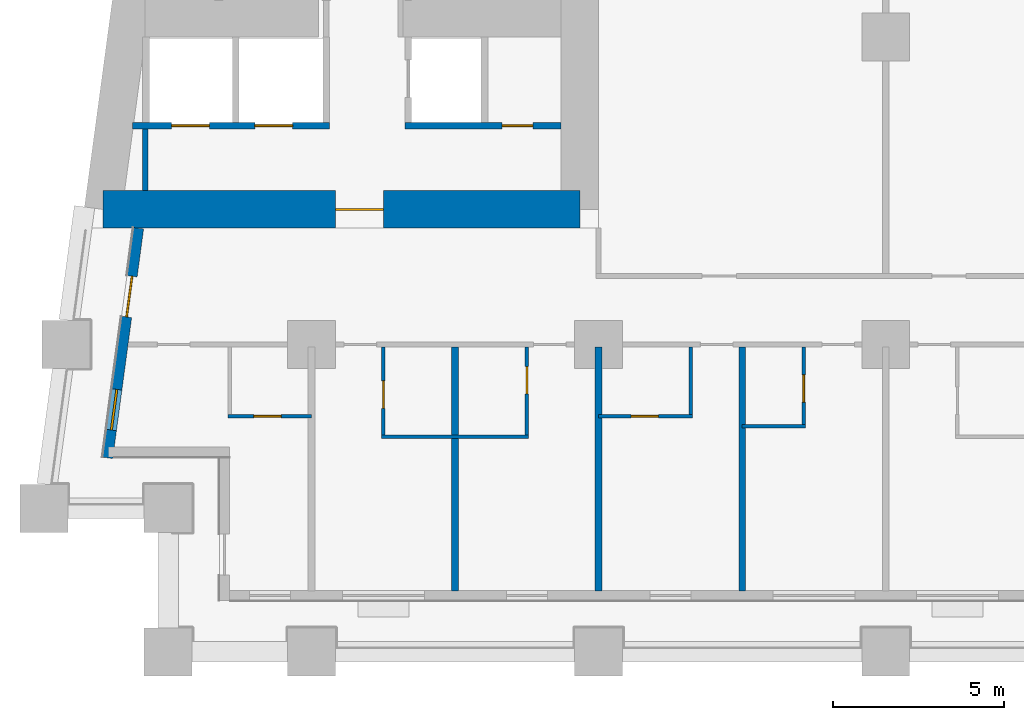
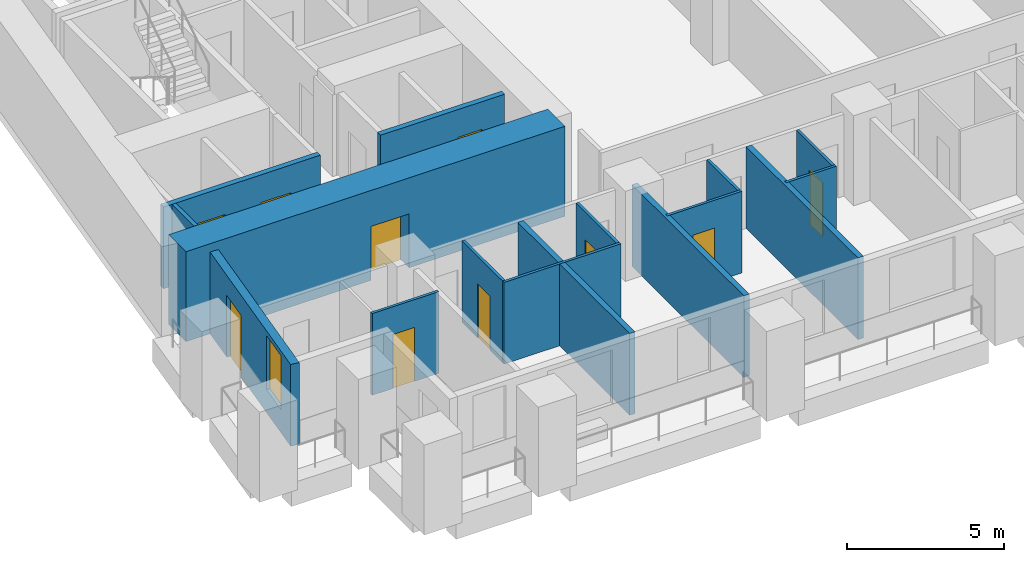
# One storey, part 2 of 13: 16 walls, 10 doors, 1 window, 11 openings.
"""IFC4 building model written with IfcOpenShell, lengths in metres."""

from ifc_helpers import new_model, si_unit, direction, frame, frame_2d, origin, place, context, subcontext, project, spatial, rectangle, extrude, material, layer, layer_set, type_object, element, fill, save


model = new_model("IFC4")

# Units and contexts
model_context = context("Model", 3, precision=1e-05, world=origin(), true_north=direction((0.0, 1.0)))
body_context = subcontext(model_context, "Body", "Model", "MODEL_VIEW")
ifc_project = project(units=[si_unit("LENGTHUNIT", "METRE"), si_unit("AREAUNIT", "SQUARE_METRE"), si_unit("VOLUMEUNIT", "CUBIC_METRE"), si_unit("PLANEANGLEUNIT", "RADIAN"), si_unit("MASSUNIT", "GRAM", prefix="KILO")], contexts=[model_context])

# Site, building, storey
site_placement = place(None, origin())
site = spatial("IfcSite", under=ifc_project, at=site_placement, CompositionType="ELEMENT")
building_placement = place(site_placement, origin())
building = spatial("IfcBuilding", under=site, at=building_placement, Name="Candeia Pilgrim Tower and Theatre", CompositionType="ELEMENT")
storey_placement = place(building_placement, frame((0.0, 0.0, 67.0)))
storey = spatial("IfcBuildingStorey", under=building, at=storey_placement, Name="L14", CompositionType="ELEMENT", Elevation=67.0)

# Wall, opening, door
ifc_material_1 = material(Name="Concrete C80/95", Category="concrete")
ifc_layer_1 = layer(ifc_material_1, 1.10009765625)
ifc_layer_set_1 = layer_set([ifc_layer_1], Name="Core wall 1100 C80/95")
wall_type_1 = type_object("IfcWallType", Name="Core wall 1100 C80/95", PredefinedType="SHEAR", material=ifc_layer_set_1)
wall_1_placement = place(storey_placement, frame((100.25, 110.949951171875, 0.0), z_axis=(0.0, 0.0, 1.0), x_axis=(-1.0, 0.0, 0.0)))
wall_1 = element("IfcWall", 1, at=wall_1_placement, inside=storey, type_object=wall_type_1, Name="Core wall W3", PredefinedType="SHEAR", context=body_context, shape_type="SweptSolid", body=[
    extrude(rectangle(XDim=13.95166015625, YDim=1.10009765625, at=frame_2d((6.975830078125, 0.0))), origin(), (0.0, 0.0, 1.0), 3.5),
])
opening_1_placement = place(wall_1_placement, frame((5.74755859375, 0.0, 0.0)))
opening_1 = element("IfcOpeningElement", 2, at=opening_1_placement, cuts=wall_1, Name="Opening L14-D054", PredefinedType="OPENING", context=body_context, shape_type="SweptSolid", body=[
    extrude(rectangle(XDim=1.39990234375, YDim=2.10009765625, at=frame_2d((0.699951171875, 1.050048828125))), frame((0.0, 0.56005859375, 0.0), z_axis=(0.0, -1.0, 0.0), x_axis=(1.0, 0.0, 0.0)), (0.0, 0.0, 1.0), 1.1201171875),
])
ifc_material_2 = material(Name="Steel fire door set", Category="steel")
door_type_1 = type_object("IfcDoorType", Name="D-1400-FD60", OperationType="NOTDEFINED", PredefinedType="DOOR", material=ifc_material_2)
door_1_placement = place(opening_1_placement, origin())
door_1 = element("IfcDoor", 3, at=door_1_placement, inside=storey, type_object=door_type_1, Name="Door L14-D054", OperationType="SINGLE_SWING_RIGHT", OverallHeight=2.10009765625, OverallWidth=1.39990234375, PredefinedType="DOOR", context=body_context, shape_type="SweptSolid", body=[
    extrude(rectangle(XDim=1.39990234375, YDim=2.10009765625, at=frame_2d((0.699951171875, 1.050048828125))), frame((0.0, 0.02490234375, 0.0), z_axis=(0.0, -1.0, 0.0), x_axis=(1.0, 0.0, 0.0)), (0.0, 0.0, 1.0), 0.050048828125),
])
fill(opening_1, door_1)

# Wall, openings, door, window
ifc_material_3 = material(Name="Ceramic block masonry", Category="masonry")
ifc_layer_2 = layer(ifc_material_3, 0.300048828125)
ifc_layer_set_2 = layer_set([ifc_layer_2], Name="EW1 glazing-line wall 300")
wall_type_2 = type_object("IfcWallType", Name="EW1 glazing-line wall 300", PredefinedType="SOLIDWALL", material=ifc_layer_set_2)
wall_2_placement = place(storey_placement, frame((87.334228515625, 110.39990234375, 0.0), z_axis=(0.0, 0.0, 1.0), x_axis=(-0.133437175554, -0.991057273915, 0.0)))
wall_2 = element("IfcWall", 4, at=wall_2_placement, inside=storey, type_object=wall_type_2, Name="External wall L14-9.1", PredefinedType="SOLIDWALL", context=body_context, shape_type="SweptSolid", body=[
    extrude(rectangle(XDim=6.780517578125, YDim=0.300048828125, at=frame_2d((3.39013671875, 0.0))), origin(), (0.0, 0.0, 1.0), 3.179931640625),
])
opening_2_placement = place(wall_2_placement, frame((1.41796875, 0.0, 0.0)))
opening_2 = element("IfcOpeningElement", 5, at=opening_2_placement, cuts=wall_2, Name="Opening L14-ED164", PredefinedType="OPENING", context=body_context, shape_type="SweptSolid", body=[
    extrude(rectangle(XDim=1.199951171875, YDim=2.39990234375, at=frame_2d((0.60009765625, 1.199951171875))), frame((0.0, 0.16015625, 0.0), z_axis=(0.0, -1.0, 0.0), x_axis=(1.0, 0.0, 0.0)), (0.0, 0.0, 1.0), 0.320068359375),
])
opening_3_placement = place(wall_2_placement, frame((4.75830078125, 0.0, 0.89990234375)))
opening_3 = element("IfcOpeningElement", 6, at=opening_3_placement, cuts=wall_2, Name="Opening W-B", PredefinedType="OPENING", context=body_context, shape_type="SweptSolid", body=[
    extrude(rectangle(XDim=1.199951171875, YDim=2.10009765625, at=frame_2d((0.60009765625, 1.050048828125))), frame((0.0, 0.16015625, 0.0), z_axis=(0.0, -1.0, 0.0), x_axis=(1.0, 0.0, 0.0)), (0.0, 0.0, 1.0), 0.320068359375),
])
ifc_material_4 = material(Name="Aluminium framed glazed door", Category="aluminium")
door_type_2 = type_object("IfcDoorType", Name="Loggia door 1200x2400", OperationType="DOUBLE_DOOR_SINGLE_SWING", PredefinedType="DOOR", material=ifc_material_4)
door_2_placement = place(opening_2_placement, origin())
door_2 = element("IfcDoor", 7, at=door_2_placement, inside=storey, type_object=door_type_2, Name="Loggia door L14-ED164", OperationType="DOUBLE_DOOR_SINGLE_SWING", OverallHeight=2.39990234375, OverallWidth=1.199951171875, PredefinedType="DOOR", context=body_context, shape_type="SweptSolid", body=[
    extrude(rectangle(XDim=1.199951171875, YDim=2.39990234375, at=frame_2d((0.60009765625, 1.199951171875))), frame((0.0, 0.02490234375, 0.0), z_axis=(0.0, -1.0, 0.0), x_axis=(1.0, 0.0, 0.0)), (0.0, 0.0, 1.0), 0.050048828125),
])
fill(opening_2, door_2)
ifc_material_5 = material(Name="Aluminium framed double glazing", Category="aluminium")
window_type = type_object("IfcWindowType", Name="W-B window 1200x2100", PartitioningType="SINGLE_PANEL", PredefinedType="WINDOW", material=ifc_material_5)
window_placement = place(opening_3_placement, origin())
window = element("IfcWindow", 8, at=window_placement, inside=storey, type_object=window_type, Name="Window W-B L14", OverallHeight=2.10009765625, OverallWidth=1.199951171875, PartitioningType="SINGLE_PANEL", PredefinedType="WINDOW", context=body_context, shape_type="SweptSolid", body=[
    extrude(rectangle(XDim=1.199951171875, YDim=2.10009765625, at=frame_2d((0.60009765625, 1.050048828125))), frame((0.0, 0.030029296875, 0.0), z_axis=(0.0, -1.0, 0.0), x_axis=(1.0, 0.0, 0.0)), (0.0, 0.0, 1.0), 0.06005859375),
])
fill(opening_3, window)

# Walls
ifc_material_6 = material(Name="Gypsum board partition on steel studs", Category="steel")
ifc_layer_3 = layer(ifc_material_6, 0.10009765625)
ifc_layer_set_3 = layer_set([ifc_layer_3], Name="PW-100 room partition")
wall_type_3 = type_object("IfcWallType", Name="PW-100 room partition", PredefinedType="PARTITIONING", material=ifc_layer_set_3)
wall_3_placement = place(storey_placement, frame((94.449951171875, 104.300048828125, 0.0), z_axis=(0.0, 0.0, 1.0), x_axis=(1.0, 0.0, 0.0)))
element("IfcWall", 9, at=wall_3_placement, inside=storey, type_object=wall_type_3, Name="Room partition L14-001", PredefinedType="PARTITIONING", context=body_context, shape_type="SweptSolid", body=[
    extrude(rectangle(XDim=4.300048828125, YDim=0.10009765625, at=frame_2d((2.14990234375, 0.0))), origin(), (0.0, 0.0, 1.0), 3.179931640625),
])
wall_4_placement = place(storey_placement, frame((105.0, 104.60009765625, 0.0), z_axis=(0.0, 0.0, 1.0), x_axis=(1.0, 0.0, 0.0)))
element("IfcWall", 10, at=wall_4_placement, inside=storey, type_object=wall_type_3, Name="Room partition L14-004", PredefinedType="PARTITIONING", context=body_context, shape_type="SweptSolid", body=[
    extrude(rectangle(XDim=1.85009765625, YDim=0.10009765625, at=frame_2d((0.925048828125, 0.0))), origin(), (0.0, 0.0, 1.0), 3.179931640625),
])

# Wall, opening, door
wall_5_placement = place(storey_placement, frame((89.949951171875, 104.89990234375, 0.0), z_axis=(0.0, 0.0, 1.0), x_axis=(1.0, 0.0, 0.0)))
wall_5 = element("IfcWall", 11, at=wall_5_placement, inside=storey, type_object=wall_type_3, Name="Room partition L14-007", PredefinedType="PARTITIONING", context=body_context, shape_type="SweptSolid", body=[
    extrude(rectangle(XDim=2.449951171875, YDim=0.10009765625, at=frame_2d((1.22509765625, 0.0))), origin(), (0.0, 0.0, 1.0), 3.179931640625),
])
opening_4_placement = place(wall_5_placement, frame((0.760009765625, 0.0, 0.0)))
opening_4 = element("IfcOpeningElement", 12, at=opening_4_placement, cuts=wall_5, Name="Opening L14-D018", PredefinedType="OPENING", context=body_context, shape_type="SweptSolid", body=[
    extrude(rectangle(XDim=0.800048828125, YDim=2.10009765625, at=frame_2d((0.39990234375, 1.050048828125))), frame((0.0, 0.06005859375, 0.0), z_axis=(0.0, -1.0, 0.0), x_axis=(1.0, 0.0, 0.0)), (0.0, 0.0, 1.0), 0.1201171875),
])
ifc_material_7 = material(Name="Timber door leaf", Category="wood")
door_type_3 = type_object("IfcDoorType", Name="D-800", OperationType="NOTDEFINED", PredefinedType="DOOR", material=ifc_material_7)
door_3_placement = place(opening_4_placement, origin())
door_3 = element("IfcDoor", 13, at=door_3_placement, inside=storey, type_object=door_type_3, Name="Door L14-D018", OperationType="SINGLE_SWING_RIGHT", OverallHeight=2.10009765625, OverallWidth=0.800048828125, PredefinedType="DOOR", context=body_context, shape_type="SweptSolid", body=[
    extrude(rectangle(XDim=0.800048828125, YDim=2.10009765625, at=frame_2d((0.39990234375, 1.050048828125))), frame((0.0, 0.02490234375, 0.0), z_axis=(0.0, -1.0, 0.0), x_axis=(1.0, 0.0, 0.0)), (0.0, 0.0, 1.0), 0.050048828125),
])
fill(opening_4, door_3)

wall_6_placement = place(storey_placement, frame((100.800048828125, 104.89990234375, 0.0), z_axis=(0.0, 0.0, 1.0), x_axis=(1.0, 0.0, 0.0)))
wall_6 = element("IfcWall", 14, at=wall_6_placement, inside=storey, type_object=wall_type_3, Name="Room partition L14-008", PredefinedType="PARTITIONING", context=body_context, shape_type="SweptSolid", body=[
    extrude(rectangle(XDim=2.75, YDim=0.10009765625, at=frame_2d((1.375, 0.0))), origin(), (0.0, 0.0, 1.0), 3.179931640625),
])
opening_5_placement = place(wall_6_placement, frame((0.949951171875, 0.0, 0.0)))
opening_5 = element("IfcOpeningElement", 15, at=opening_5_placement, cuts=wall_6, Name="Opening L14-D024", PredefinedType="OPENING", context=body_context, shape_type="SweptSolid", body=[
    extrude(rectangle(XDim=0.800048828125, YDim=2.10009765625, at=frame_2d((0.39990234375, 1.050048828125))), frame((0.0, 0.06005859375, 0.0), z_axis=(0.0, -1.0, 0.0), x_axis=(1.0, 0.0, 0.0)), (0.0, 0.0, 1.0), 0.1201171875),
])
door_4_placement = place(opening_5_placement, origin())
door_4 = element("IfcDoor", 16, at=door_4_placement, inside=storey, type_object=door_type_3, Name="Door L14-D024", OperationType="SINGLE_SWING_RIGHT", OverallHeight=2.10009765625, OverallWidth=0.800048828125, PredefinedType="DOOR", context=body_context, shape_type="SweptSolid", body=[
    extrude(rectangle(XDim=0.800048828125, YDim=2.10009765625, at=frame_2d((0.39990234375, 1.050048828125))), frame((0.0, 0.02490234375, 0.0), z_axis=(0.0, -1.0, 0.0), x_axis=(1.0, 0.0, 0.0)), (0.0, 0.0, 1.0), 0.050048828125),
])
fill(opening_5, door_4)

wall_7_placement = place(storey_placement, frame((94.5, 104.35009765625, 0.0), z_axis=(0.0, 0.0, 1.0), x_axis=(0.0, 1.0, 0.0)))
wall_7 = element("IfcWall", 17, at=wall_7_placement, inside=storey, type_object=wall_type_3, Name="Room partition L14-056", PredefinedType="PARTITIONING", context=body_context, shape_type="SweptSolid", body=[
    extrude(rectangle(XDim=2.574951171875, YDim=0.10009765625, at=frame_2d((1.28759765625, 0.0))), origin(), (0.0, 0.0, 1.0), 3.179931640625),
])
opening_6_placement = place(wall_7_placement, frame((0.780029296875, 0.0, 0.0)))
opening_6 = element("IfcOpeningElement", 18, at=opening_6_placement, cuts=wall_7, Name="Opening L14-D020", PredefinedType="OPENING", context=body_context, shape_type="SweptSolid", body=[
    extrude(rectangle(XDim=0.800048828125, YDim=2.10009765625, at=frame_2d((0.39990234375, 1.050048828125))), frame((0.0, 0.06005859375, 0.0), z_axis=(0.0, -1.0, 0.0), x_axis=(1.0, 0.0, 0.0)), (0.0, 0.0, 1.0), 0.1201171875),
])
door_5_placement = place(opening_6_placement, origin())
door_5 = element("IfcDoor", 19, at=door_5_placement, inside=storey, type_object=door_type_3, Name="Door L14-D020", OperationType="SINGLE_SWING_RIGHT", OverallHeight=2.10009765625, OverallWidth=0.800048828125, PredefinedType="DOOR", context=body_context, shape_type="SweptSolid", body=[
    extrude(rectangle(XDim=0.800048828125, YDim=2.10009765625, at=frame_2d((0.39990234375, 1.050048828125))), frame((0.0, 0.02490234375, 0.0), z_axis=(0.0, -1.0, 0.0), x_axis=(1.0, 0.0, 0.0)), (0.0, 0.0, 1.0), 0.050048828125),
])
fill(opening_6, door_5)

wall_8_placement = place(storey_placement, frame((98.699951171875, 104.35009765625, 0.0), z_axis=(0.0, 0.0, 1.0), x_axis=(0.0, 1.0, 0.0)))
wall_8 = element("IfcWall", 20, at=wall_8_placement, inside=storey, type_object=wall_type_3, Name="Room partition L14-065", PredefinedType="PARTITIONING", context=body_context, shape_type="SweptSolid", body=[
    extrude(rectangle(XDim=2.574951171875, YDim=0.10009765625, at=frame_2d((1.28759765625, 0.0))), origin(), (0.0, 0.0, 1.0), 3.179931640625),
])
opening_7_placement = place(wall_8_placement, frame((1.199951171875, 0.0, 0.0)))
opening_7 = element("IfcOpeningElement", 21, at=opening_7_placement, cuts=wall_8, Name="Opening L14-D022", PredefinedType="OPENING", context=body_context, shape_type="SweptSolid", body=[
    extrude(rectangle(XDim=0.800048828125, YDim=2.10009765625, at=frame_2d((0.39990234375, 1.050048828125))), frame((0.0, 0.06005859375, 0.0), z_axis=(0.0, -1.0, 0.0), x_axis=(1.0, 0.0, 0.0)), (0.0, 0.0, 1.0), 0.1201171875),
])
door_6_placement = place(opening_7_placement, origin())
door_6 = element("IfcDoor", 22, at=door_6_placement, inside=storey, type_object=door_type_3, Name="Door L14-D022", OperationType="SINGLE_SWING_RIGHT", OverallHeight=2.10009765625, OverallWidth=0.800048828125, PredefinedType="DOOR", context=body_context, shape_type="SweptSolid", body=[
    extrude(rectangle(XDim=0.800048828125, YDim=2.10009765625, at=frame_2d((0.39990234375, 1.050048828125))), frame((0.0, 0.02490234375, 0.0), z_axis=(0.0, -1.0, 0.0), x_axis=(1.0, 0.0, 0.0)), (0.0, 0.0, 1.0), 0.050048828125),
])
fill(opening_7, door_6)

# Wall
wall_9_placement = place(storey_placement, frame((103.5, 104.949951171875, 0.0), z_axis=(0.0, 0.0, 1.0), x_axis=(0.0, 1.0, 0.0)))
element("IfcWall", 23, at=wall_9_placement, inside=storey, type_object=wall_type_3, Name="Room partition L14-070", PredefinedType="PARTITIONING", context=body_context, shape_type="SweptSolid", body=[
    extrude(rectangle(XDim=1.97509765625, YDim=0.10009765625, at=frame_2d((0.987548828125, 0.0))), origin(), (0.0, 0.0, 1.0), 3.179931640625),
])

# Wall, opening, door
wall_10_placement = place(storey_placement, frame((106.800048828125, 104.64990234375, 0.0), z_axis=(0.0, 0.0, 1.0), x_axis=(0.0, 1.0, 0.0)))
wall_10 = element("IfcWall", 24, at=wall_10_placement, inside=storey, type_object=wall_type_3, Name="Room partition L14-073", PredefinedType="PARTITIONING", context=body_context, shape_type="SweptSolid", body=[
    extrude(rectangle(XDim=2.275146484375, YDim=0.10009765625, at=frame_2d((1.1376953125, 0.0))), origin(), (0.0, 0.0, 1.0), 3.179931640625),
])
opening_8_placement = place(wall_10_placement, frame((0.659912109375, 0.0, 0.0)))
opening_8 = element("IfcOpeningElement", 25, at=opening_8_placement, cuts=wall_10, Name="Opening L14-D026", PredefinedType="OPENING", context=body_context, shape_type="SweptSolid", body=[
    extrude(rectangle(XDim=0.800048828125, YDim=2.10009765625, at=frame_2d((0.39990234375, 1.050048828125))), frame((0.0, 0.06005859375, 0.0), z_axis=(0.0, -1.0, 0.0), x_axis=(1.0, 0.0, 0.0)), (0.0, 0.0, 1.0), 0.1201171875),
])
door_7_placement = place(opening_8_placement, origin())
door_7 = element("IfcDoor", 26, at=door_7_placement, inside=storey, type_object=door_type_3, Name="Door L14-D026", OperationType="SINGLE_SWING_RIGHT", OverallHeight=2.10009765625, OverallWidth=0.800048828125, PredefinedType="DOOR", context=body_context, shape_type="SweptSolid", body=[
    extrude(rectangle(XDim=0.800048828125, YDim=2.10009765625, at=frame_2d((0.39990234375, 1.050048828125))), frame((0.0, 0.02490234375, 0.0), z_axis=(0.0, -1.0, 0.0), x_axis=(1.0, 0.0, 0.0)), (0.0, 0.0, 1.0), 0.050048828125),
])
fill(opening_8, door_7)

# Walls
ifc_layer_4 = layer(ifc_material_6, 0.14990234375)
ifc_layer_set_4 = layer_set([ifc_layer_4], Name="PW-150 lobby wall")
wall_type_4 = type_object("IfcWallType", Name="PW-150 lobby wall", PredefinedType="PARTITIONING", material=ifc_layer_set_4)
wall_11_placement = place(storey_placement, frame((87.530029296875, 111.5, 0.0), z_axis=(0.0, 0.0, 1.0), x_axis=(0.0, 1.0, 0.0)))
element("IfcWall", 27, at=wall_11_placement, inside=storey, type_object=wall_type_4, Name="Lobby wall L14-044", PredefinedType="PARTITIONING", context=body_context, shape_type="SweptSolid", body=[
    extrude(rectangle(XDim=1.800048828125, YDim=0.14990234375, at=frame_2d((0.89990234375, 0.0))), origin(), (0.0, 0.0, 1.0), 3.179931640625),
])
ifc_layer_5 = layer(ifc_material_6, 0.199951171875)
ifc_layer_set_5 = layer_set([ifc_layer_5], Name="PW-200 party wall")
wall_type_5 = type_object("IfcWallType", Name="PW-200 party wall", PredefinedType="PARTITIONING", material=ifc_layer_set_5)
for number, where, z_axis, x_axis, name in (
    (28, (96.60009765625, 99.7900390625, 0.0), (0.0, 0.0, 1.0), (0.0, 1.0, 0.0), "Party wall L14-061"),
    (29, (100.800048828125, 99.7900390625, 0.0), (0.0, 0.0, 1.0), (0.0, 1.0, 0.0), "Party wall L14-066"),
    (30, (105.0, 99.7900390625, 0.0), (0.0, 0.0, 1.0), (0.0, 1.0, 0.0), "Party wall L14-071"),
):
    element("IfcWall", number, at=place(storey_placement, frame(where, z_axis=z_axis, x_axis=x_axis)), inside=storey, type_object=wall_type_5, Name=name, PredefinedType="PARTITIONING", context=body_context, shape_type="SweptSolid", body=[
        extrude(rectangle(XDim=7.135009765625, YDim=0.199951171875, at=frame_2d((3.5673828125, 0.0))), origin(), (0.0, 0.0, 1.0), 3.179931640625),
    ])

# Wall, openings, doors
ifc_material_8 = material(Name="Concrete C40/50", Category="concrete")
ifc_layer_6 = layer(ifc_material_8, 0.199951171875)
ifc_layer_set_6 = layer_set([ifc_layer_6], Name="SW-200 shaft wall")
wall_type_6 = type_object("IfcWallType", Name="SW-200 shaft wall", PredefinedType="PARTITIONING", material=ifc_layer_set_6)
wall_12_placement = place(storey_placement, frame((87.153076171875, 113.39990234375, 0.0), z_axis=(0.0, 0.0, 1.0), x_axis=(1.0, 0.0, 0.0)))
wall_12 = element("IfcWall", 31, at=wall_12_placement, inside=storey, type_object=wall_type_6, Name="Shaft wall L14-011", PredefinedType="PARTITIONING", context=body_context, shape_type="SweptSolid", body=[
    extrude(rectangle(XDim=5.77392578125, YDim=0.199951171875, at=frame_2d((2.886962890625, 0.0))), origin(), (0.0, 0.0, 1.0), 3.179931640625),
])
opening_9_placement = place(wall_12_placement, frame((1.15087890625, 0.0, 0.0)))
opening_9 = element("IfcOpeningElement", 32, at=opening_9_placement, cuts=wall_12, Name="Opening L14-LD03", PredefinedType="OPENING", context=body_context, shape_type="SweptSolid", body=[
    extrude(rectangle(XDim=1.10009765625, YDim=2.10009765625, at=frame_2d((0.550048828125, 1.050048828125))), frame((0.0, 0.10986328125, 0.0), z_axis=(0.0, -1.0, 0.0), x_axis=(1.0, 0.0, 0.0)), (0.0, 0.0, 1.0), 0.219970703125),
])
opening_10_placement = place(wall_12_placement, frame((3.587890625, 0.0, 0.0)))
opening_10 = element("IfcOpeningElement", 33, at=opening_10_placement, cuts=wall_12, Name="Opening L14-LD04", PredefinedType="OPENING", context=body_context, shape_type="SweptSolid", body=[
    extrude(rectangle(XDim=1.10009765625, YDim=2.10009765625, at=frame_2d((0.550048828125, 1.050048828125))), frame((0.0, 0.10986328125, 0.0), z_axis=(0.0, -1.0, 0.0), x_axis=(1.0, 0.0, 0.0)), (0.0, 0.0, 1.0), 0.219970703125),
])
ifc_material_9 = material(Name="Glazed aluminium landing door", Category="aluminium")
door_type_4 = type_object("IfcDoorType", Name="LD-1100-EI120", OperationType="SLIDING_TO_LEFT", PredefinedType="DOOR", material=ifc_material_9)
door_8_placement = place(opening_9_placement, origin())
door_8 = element("IfcDoor", 34, at=door_8_placement, inside=storey, type_object=door_type_4, Name="Landing door 03 L14", OperationType="SLIDING_TO_LEFT", OverallHeight=2.10009765625, OverallWidth=1.10009765625, PredefinedType="DOOR", context=body_context, shape_type="SweptSolid", body=[
    extrude(rectangle(XDim=1.10009765625, YDim=2.10009765625, at=frame_2d((0.550048828125, 1.050048828125))), frame((0.0, 0.02490234375, 0.0), z_axis=(0.0, -1.0, 0.0), x_axis=(1.0, 0.0, 0.0)), (0.0, 0.0, 1.0), 0.050048828125),
])
fill(opening_9, door_8)
door_9_placement = place(opening_10_placement, origin())
door_9 = element("IfcDoor", 35, at=door_9_placement, inside=storey, type_object=door_type_4, Name="Landing door 04 L14", OperationType="SLIDING_TO_LEFT", OverallHeight=2.10009765625, OverallWidth=1.10009765625, PredefinedType="DOOR", context=body_context, shape_type="SweptSolid", body=[
    extrude(rectangle(XDim=1.10009765625, YDim=2.10009765625, at=frame_2d((0.550048828125, 1.050048828125))), frame((0.0, 0.02490234375, 0.0), z_axis=(0.0, -1.0, 0.0), x_axis=(1.0, 0.0, 0.0)), (0.0, 0.0, 1.0), 0.050048828125),
])
fill(opening_10, door_9)

# Wall, opening, door
wall_13_placement = place(storey_placement, frame((95.126953125, 113.39990234375, 0.0), z_axis=(0.0, 0.0, 1.0), x_axis=(1.0, 0.0, 0.0)))
wall_13 = element("IfcWall", 36, at=wall_13_placement, inside=storey, type_object=wall_type_6, Name="Shaft wall L14-012", PredefinedType="PARTITIONING", context=body_context, shape_type="SweptSolid", body=[
    extrude(rectangle(XDim=4.572998046875, YDim=0.199951171875, at=frame_2d((2.28662109375, 0.0))), origin(), (0.0, 0.0, 1.0), 3.179931640625),
])
opening_11_placement = place(wall_13_placement, frame((2.845947265625, 0.0, 0.0)))
opening_11 = element("IfcOpeningElement", 37, at=opening_11_placement, cuts=wall_13, Name="Opening L14-D007", PredefinedType="OPENING", context=body_context, shape_type="SweptSolid", body=[
    extrude(rectangle(XDim=0.89990234375, YDim=2.10009765625, at=frame_2d((0.449951171875, 1.050048828125))), frame((0.0, 0.10986328125, 0.0), z_axis=(0.0, -1.0, 0.0), x_axis=(1.0, 0.0, 0.0)), (0.0, 0.0, 1.0), 0.219970703125),
])
door_type_5 = type_object("IfcDoorType", Name="D-900-FD60", OperationType="NOTDEFINED", PredefinedType="DOOR", material=ifc_material_2)
door_10_placement = place(opening_11_placement, origin())
door_10 = element("IfcDoor", 38, at=door_10_placement, inside=storey, type_object=door_type_5, Name="Door L14-D007", OperationType="SINGLE_SWING_RIGHT", OverallHeight=2.10009765625, OverallWidth=0.89990234375, PredefinedType="DOOR", context=body_context, shape_type="SweptSolid", body=[
    extrude(rectangle(XDim=0.89990234375, YDim=2.10009765625, at=frame_2d((0.449951171875, 1.050048828125))), frame((0.0, 0.02490234375, 0.0), z_axis=(0.0, -1.0, 0.0), x_axis=(1.0, 0.0, 0.0)), (0.0, 0.0, 1.0), 0.050048828125),
])
fill(opening_11, door_10)

save(model, "model.ifc")
